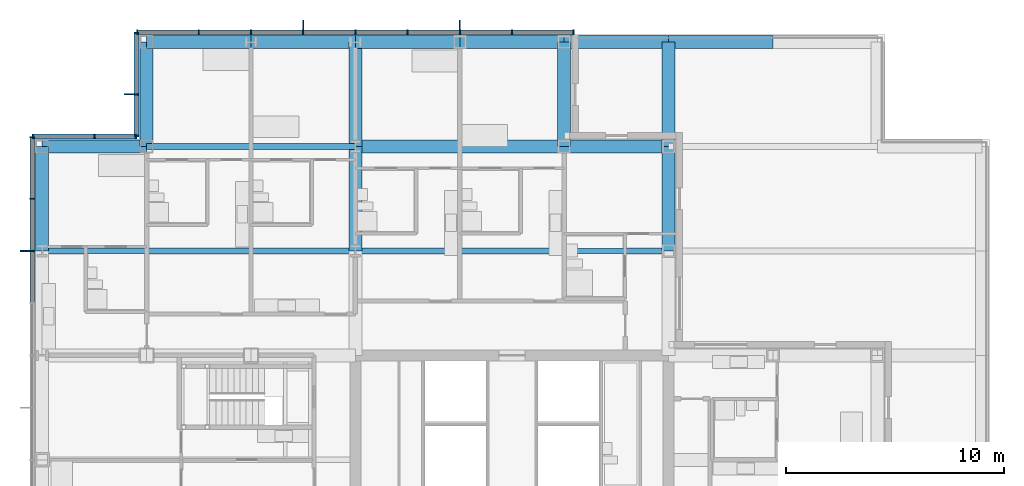
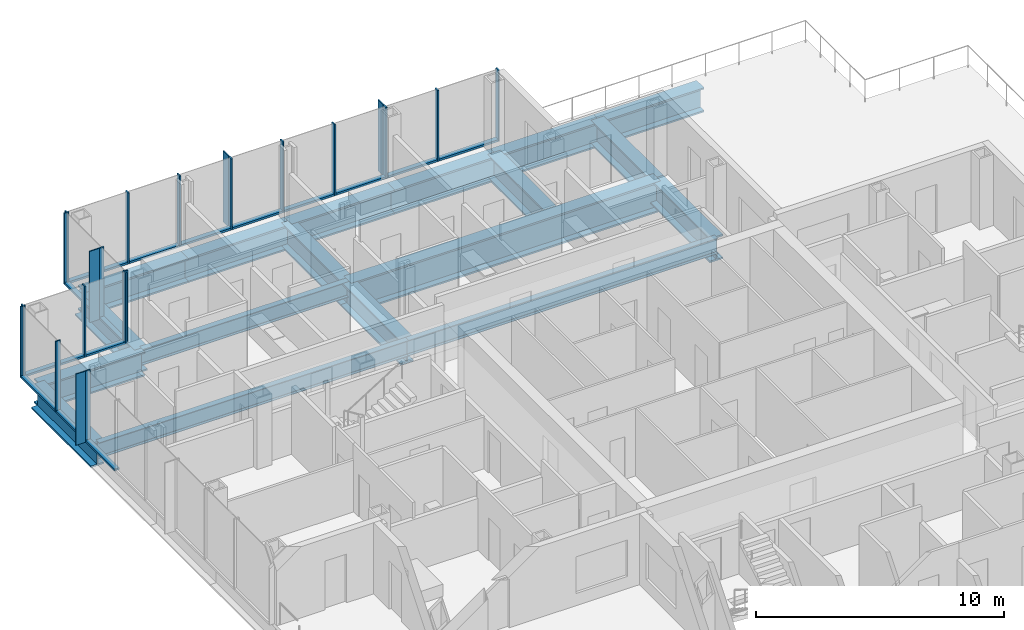
# One storey, part 9 of 19: 37 members, 18 beams, 4 elements without a shape of their own.
"""IFC4 building model written with IfcOpenShell, lengths in metres."""

from ifc_helpers import new_model, si_unit, direction, frame, origin, origin_2d, place, context, subcontext, project, spatial, rectangle, i_section, extrude, material, material_profile, profile_set, type_object, element, aggregate, save


model = new_model("IFC4")

# Units and contexts
model_context = context("Model", 3, precision=1e-05, world=origin(), true_north=direction((0.0, 1.0)))
body_context = subcontext(model_context, "Body", "Model", "MODEL_VIEW")
ifc_project = project(units=[si_unit("LENGTHUNIT", "METRE"), si_unit("AREAUNIT", "SQUARE_METRE"), si_unit("VOLUMEUNIT", "CUBIC_METRE"), si_unit("PLANEANGLEUNIT", "RADIAN"), si_unit("MASSUNIT", "GRAM", prefix="KILO")], contexts=[model_context])

# Site, building, storey
site_placement = place(None, origin())
site = spatial("IfcSite", under=ifc_project, at=site_placement, CompositionType="ELEMENT")
building_placement = place(site_placement, origin())
building = spatial("IfcBuilding", under=site, at=building_placement, Name="Kvirike Care Tower", CompositionType="ELEMENT")
storey_placement = place(building_placement, frame((0.0, 0.0, 84.0)))
storey = spatial("IfcBuildingStorey", under=building, at=storey_placement, Name="L22", CompositionType="ELEMENT", Elevation=84.0)

# Curtain wall, members
ifc_material_1 = material(Name="Anodised aluminium stick system", Category="aluminium")
curtain_wall_type = type_object("IfcCurtainWallType", Name="CW-B STICK CURTAIN WALL", PredefinedType="NOTDEFINED", material=ifc_material_1)
curtain_wall_1_placement = place(storey_placement, origin())
curtain_wall_1 = element("IfcCurtainWall", 1, at=curtain_wall_1_placement, inside=storey, type_object=curtain_wall_type, Name="Curtain wall L22 face 8", PredefinedType="NOTDEFINED")
ifc_material_2 = material(Name="Bronze anodised aluminium fin", Category="aluminium")
ifc_material_profile_1 = material_profile(ifc_material_2, rectangle(XDim=0.050048828125, YDim=0.449951171875, at=origin_2d()), Name="BRONZE FIN 450")
ifc_profile_set_1 = profile_set([ifc_material_profile_1], Name="Bronze anodised aluminium fin")
member_type_1 = type_object("IfcMemberType", Name="BRONZE FIN 450", PredefinedType="USERDEFINED", material=ifc_profile_set_1)
member_1_placement = place(storey_placement, frame((19.199951171875, 58.39501953125, 0.0), z_axis=(0.0, 0.0, 1.0), x_axis=(-1.0, 0.0, 0.0)))
member_1 = element("IfcMember", 2, at=member_1_placement, type_object=member_type_1, Name="Bronze fin L22 face 8.3", ObjectType="FIN", PredefinedType="USERDEFINED", context=body_context, shape_type="SweptSolid", body=[
    extrude(rectangle(XDim=0.050048828125, YDim=0.449951171875, at=origin_2d()), origin(), (0.0, 0.0, 1.0), 3.5),
])
member_2_placement = place(storey_placement, frame((12.0, 58.39501953125, 0.0), z_axis=(0.0, 0.0, 1.0), x_axis=(-1.0, 0.0, 0.0)))
member_2 = element("IfcMember", 3, at=member_2_placement, type_object=member_type_1, Name="Bronze fin L22 face 8.6", ObjectType="FIN", PredefinedType="USERDEFINED", context=body_context, shape_type="SweptSolid", body=[
    extrude(rectangle(XDim=0.050048828125, YDim=0.449951171875, at=origin_2d()), origin(), (0.0, 0.0, 1.0), 3.5),
])

# Curtain wall, member
curtain_wall_2_placement = place(storey_placement, origin())
curtain_wall_2 = element("IfcCurtainWall", 4, at=curtain_wall_2_placement, inside=storey, type_object=curtain_wall_type, Name="Curtain wall L22 face 9", PredefinedType="NOTDEFINED")
member_3_placement = place(storey_placement, frame((4.0048828125, 55.199951171875, 0.0), z_axis=(0.0, 0.0, 1.0), x_axis=(0.0, -1.0, 0.0)))
member_3 = element("IfcMember", 5, at=member_3_placement, type_object=member_type_1, Name="Bronze fin L22 face 9.2", ObjectType="FIN", PredefinedType="USERDEFINED", context=body_context, shape_type="SweptSolid", body=[
    extrude(rectangle(XDim=0.050048828125, YDim=0.449951171875, at=origin_2d()), origin(), (0.0, 0.0, 1.0), 3.5),
])

curtain_wall_3_placement = place(storey_placement, origin())
curtain_wall_3 = element("IfcCurtainWall", 6, at=curtain_wall_3_placement, inside=storey, type_object=curtain_wall_type, Name="Curtain wall L22 face 11", PredefinedType="NOTDEFINED")
member_4_placement = place(storey_placement, frame((-0.794921875, 48.0, 0.0), z_axis=(0.0, 0.0, 1.0), x_axis=(0.0, -1.0, 0.0)))
member_4 = element("IfcMember", 7, at=member_4_placement, type_object=member_type_1, Name="Bronze fin L22 face 11.3", ObjectType="FIN", PredefinedType="USERDEFINED", context=body_context, shape_type="SweptSolid", body=[
    extrude(rectangle(XDim=0.050048828125, YDim=0.449951171875, at=origin_2d()), origin(), (0.0, 0.0, 1.0), 3.5),
])

# Member
ifc_material_3 = material(Name="Bronze anodised aluminium mullion", Category="aluminium")
ifc_material_profile_2 = material_profile(ifc_material_3, rectangle(XDim=0.06494140625, YDim=0.219970703125, at=origin_2d()), Name="CW-B MULLION 65x220")
ifc_profile_set_2 = profile_set([ifc_material_profile_2], Name="Bronze anodised aluminium mullion")
member_type_2 = type_object("IfcMemberType", Name="CW-B MULLION 65x220", PredefinedType="MULLION", material=ifc_profile_set_2)
member_5_placement = place(storey_placement, frame((24.427490234375, 58.06005859375, 0.0), z_axis=(0.0, 0.0, 1.0), x_axis=(-1.0, 0.0, 0.0)))
member_5 = element("IfcMember", 8, at=member_5_placement, type_object=member_type_2, Name="CW-B mullion L22 face 8.1", PredefinedType="MULLION", context=body_context, shape_type="SweptSolid", body=[
    extrude(rectangle(XDim=0.06494140625, YDim=0.219970703125, at=origin_2d()), origin(), (0.0, 0.0, 1.0), 3.5),
])

member_6_placement = place(storey_placement, frame((21.60009765625, 58.06005859375, 0.0), z_axis=(0.0, 0.0, 1.0), x_axis=(-1.0, 0.0, 0.0)))
member_6 = element("IfcMember", 9, at=member_6_placement, type_object=member_type_2, Name="CW-B mullion L22 face 8.2", PredefinedType="MULLION", context=body_context, shape_type="SweptSolid", body=[
    extrude(rectangle(XDim=0.06494140625, YDim=0.219970703125, at=origin_2d()), origin(), (0.0, 0.0, 1.0), 3.5),
])

member_7_placement = place(storey_placement, frame((19.199951171875, 58.06005859375, 0.0), z_axis=(0.0, 0.0, 1.0), x_axis=(-1.0, 0.0, 0.0)))
member_7 = element("IfcMember", 10, at=member_7_placement, type_object=member_type_2, Name="CW-B mullion L22 face 8.3", PredefinedType="MULLION", context=body_context, shape_type="SweptSolid", body=[
    extrude(rectangle(XDim=0.06494140625, YDim=0.219970703125, at=origin_2d()), origin(), (0.0, 0.0, 1.0), 3.5),
])

member_8_placement = place(storey_placement, frame((16.800048828125, 58.06005859375, 0.0), z_axis=(0.0, 0.0, 1.0), x_axis=(-1.0, 0.0, 0.0)))
member_8 = element("IfcMember", 11, at=member_8_placement, type_object=member_type_2, Name="CW-B mullion L22 face 8.4", PredefinedType="MULLION", context=body_context, shape_type="SweptSolid", body=[
    extrude(rectangle(XDim=0.06494140625, YDim=0.219970703125, at=origin_2d()), origin(), (0.0, 0.0, 1.0), 3.5),
])

member_9_placement = place(storey_placement, frame((14.39990234375, 58.06005859375, 0.0), z_axis=(0.0, 0.0, 1.0), x_axis=(-1.0, 0.0, 0.0)))
member_9 = element("IfcMember", 12, at=member_9_placement, type_object=member_type_2, Name="CW-B mullion L22 face 8.5", PredefinedType="MULLION", context=body_context, shape_type="SweptSolid", body=[
    extrude(rectangle(XDim=0.06494140625, YDim=0.219970703125, at=origin_2d()), origin(), (0.0, 0.0, 1.0), 3.5),
])

member_10_placement = place(storey_placement, frame((12.0, 58.06005859375, 0.0), z_axis=(0.0, 0.0, 1.0), x_axis=(-1.0, 0.0, 0.0)))
member_10 = element("IfcMember", 13, at=member_10_placement, type_object=member_type_2, Name="CW-B mullion L22 face 8.6", PredefinedType="MULLION", context=body_context, shape_type="SweptSolid", body=[
    extrude(rectangle(XDim=0.06494140625, YDim=0.219970703125, at=origin_2d()), origin(), (0.0, 0.0, 1.0), 3.5),
])

member_11_placement = place(storey_placement, frame((9.60009765625, 58.06005859375, 0.0), z_axis=(0.0, 0.0, 1.0), x_axis=(-1.0, 0.0, 0.0)))
member_11 = element("IfcMember", 14, at=member_11_placement, type_object=member_type_2, Name="CW-B mullion L22 face 8.7", PredefinedType="MULLION", context=body_context, shape_type="SweptSolid", body=[
    extrude(rectangle(XDim=0.06494140625, YDim=0.219970703125, at=origin_2d()), origin(), (0.0, 0.0, 1.0), 3.5),
])

member_12_placement = place(storey_placement, frame((7.199951171875, 58.06005859375, 0.0), z_axis=(0.0, 0.0, 1.0), x_axis=(-1.0, 0.0, 0.0)))
member_12 = element("IfcMember", 15, at=member_12_placement, type_object=member_type_2, Name="CW-B mullion L22 face 8.8", PredefinedType="MULLION", context=body_context, shape_type="SweptSolid", body=[
    extrude(rectangle(XDim=0.06494140625, YDim=0.219970703125, at=origin_2d()), origin(), (0.0, 0.0, 1.0), 3.5),
])

member_13_placement = place(storey_placement, frame((4.37255859375, 58.06005859375, 0.0), z_axis=(0.0, 0.0, 1.0), x_axis=(-1.0, 0.0, 0.0)))
member_13 = element("IfcMember", 16, at=member_13_placement, type_object=member_type_2, Name="CW-B mullion L22 face 8.9", PredefinedType="MULLION", context=body_context, shape_type="SweptSolid", body=[
    extrude(rectangle(XDim=0.06494140625, YDim=0.219970703125, at=origin_2d()), origin(), (0.0, 0.0, 1.0), 3.5),
])

member_14_placement = place(storey_placement, frame((4.340087890625, 58.027587890625, 0.0), z_axis=(0.0, 0.0, 1.0), x_axis=(0.0, -1.0, 0.0)))
member_14 = element("IfcMember", 17, at=member_14_placement, type_object=member_type_2, Name="CW-B mullion L22 face 9.1", PredefinedType="MULLION", context=body_context, shape_type="SweptSolid", body=[
    extrude(rectangle(XDim=0.06494140625, YDim=0.219970703125, at=origin_2d()), origin(), (0.0, 0.0, 1.0), 3.5),
])

member_15_placement = place(storey_placement, frame((4.340087890625, 55.199951171875, 0.0), z_axis=(0.0, 0.0, 1.0), x_axis=(0.0, -1.0, 0.0)))
member_15 = element("IfcMember", 18, at=member_15_placement, type_object=member_type_2, Name="CW-B mullion L22 face 9.2", PredefinedType="MULLION", context=body_context, shape_type="SweptSolid", body=[
    extrude(rectangle(XDim=0.06494140625, YDim=0.219970703125, at=origin_2d()), origin(), (0.0, 0.0, 1.0), 3.5),
])

member_16_placement = place(storey_placement, frame((4.340087890625, 53.29248046875, 0.0), z_axis=(0.0, 0.0, 1.0), x_axis=(0.0, -1.0, 0.0)))
member_16 = element("IfcMember", 19, at=member_16_placement, type_object=member_type_2, Name="CW-B mullion L22 face 9.3", PredefinedType="MULLION", context=body_context, shape_type="SweptSolid", body=[
    extrude(rectangle(XDim=0.06494140625, YDim=0.219970703125, at=origin_2d()), origin(), (0.0, 0.0, 1.0), 3.5),
])

# Curtain wall, members
curtain_wall_4_placement = place(storey_placement, origin())
curtain_wall_4 = element("IfcCurtainWall", 20, at=curtain_wall_4_placement, inside=storey, type_object=curtain_wall_type, Name="Curtain wall L22 face 10", PredefinedType="NOTDEFINED")
member_17_placement = place(storey_placement, frame((4.3076171875, 53.260009765625, 0.0), z_axis=(0.0, 0.0, 1.0), x_axis=(-1.0, 0.0, 0.0)))
member_17 = element("IfcMember", 21, at=member_17_placement, type_object=member_type_2, Name="CW-B mullion L22 face 10.1", PredefinedType="MULLION", context=body_context, shape_type="SweptSolid", body=[
    extrude(rectangle(XDim=0.06494140625, YDim=0.219970703125, at=origin_2d()), origin(), (0.0, 0.0, 1.0), 3.5),
])
member_18_placement = place(storey_placement, frame((2.39990234375, 53.260009765625, 0.0), z_axis=(0.0, 0.0, 1.0), x_axis=(-1.0, 0.0, 0.0)))
member_18 = element("IfcMember", 22, at=member_18_placement, type_object=member_type_2, Name="CW-B mullion L22 face 10.2", PredefinedType="MULLION", context=body_context, shape_type="SweptSolid", body=[
    extrude(rectangle(XDim=0.06494140625, YDim=0.219970703125, at=origin_2d()), origin(), (0.0, 0.0, 1.0), 3.5),
])
member_19_placement = place(storey_placement, frame((-0.427490234375, 53.260009765625, 0.0), z_axis=(0.0, 0.0, 1.0), x_axis=(-1.0, 0.0, 0.0)))
member_19 = element("IfcMember", 23, at=member_19_placement, type_object=member_type_2, Name="CW-B mullion L22 face 10.3", PredefinedType="MULLION", context=body_context, shape_type="SweptSolid", body=[
    extrude(rectangle(XDim=0.06494140625, YDim=0.219970703125, at=origin_2d()), origin(), (0.0, 0.0, 1.0), 3.5),
])

# Member
member_20_placement = place(storey_placement, frame((-0.4599609375, 53.2275390625, 0.0), z_axis=(0.0, 0.0, 1.0), x_axis=(0.0, -1.0, 0.0)))
member_20 = element("IfcMember", 24, at=member_20_placement, type_object=member_type_2, Name="CW-B mullion L22 face 11.1", PredefinedType="MULLION", context=body_context, shape_type="SweptSolid", body=[
    extrude(rectangle(XDim=0.06494140625, YDim=0.219970703125, at=origin_2d()), origin(), (0.0, 0.0, 1.0), 3.5),
])

member_21_placement = place(storey_placement, frame((-0.4599609375, 50.39990234375, 0.0), z_axis=(0.0, 0.0, 1.0), x_axis=(0.0, -1.0, 0.0)))
member_21 = element("IfcMember", 25, at=member_21_placement, type_object=member_type_2, Name="CW-B mullion L22 face 11.2", PredefinedType="MULLION", context=body_context, shape_type="SweptSolid", body=[
    extrude(rectangle(XDim=0.06494140625, YDim=0.219970703125, at=origin_2d()), origin(), (0.0, 0.0, 1.0), 3.5),
])

member_22_placement = place(storey_placement, frame((-0.4599609375, 48.0, 0.0), z_axis=(0.0, 0.0, 1.0), x_axis=(0.0, -1.0, 0.0)))
member_22 = element("IfcMember", 26, at=member_22_placement, type_object=member_type_2, Name="CW-B mullion L22 face 11.3", PredefinedType="MULLION", context=body_context, shape_type="SweptSolid", body=[
    extrude(rectangle(XDim=0.06494140625, YDim=0.219970703125, at=origin_2d()), origin(), (0.0, 0.0, 1.0), 3.5),
])

ifc_material_4 = material(Name="Bronze anodised aluminium transom", Category="aluminium")
ifc_material_profile_3 = material_profile(ifc_material_4, rectangle(XDim=0.219970703125, YDim=0.10009765625, at=origin_2d()), Name="CW-B TRANSOM 220x100")
ifc_profile_set_3 = profile_set([ifc_material_profile_3], Name="Bronze anodised aluminium transom")
member_type_3 = type_object("IfcMemberType", Name="CW-B TRANSOM 220x100", PredefinedType="USERDEFINED", material=ifc_profile_set_3)
member_23_placement = place(storey_placement, frame((24.39501953125, 58.06005859375, 0.050048828125), z_axis=(-1.0, 0.0, 0.0), x_axis=(0.0, -1.0, 0.0)))
member_23 = element("IfcMember", 27, at=member_23_placement, type_object=member_type_3, Name="CW-B sill transom L22 face 8.1", ObjectType="TRANSOM", PredefinedType="USERDEFINED", context=body_context, shape_type="SweptSolid", body=[
    extrude(rectangle(XDim=0.219970703125, YDim=0.10009765625, at=origin_2d()), origin(), (0.0, 0.0, 1.0), 2.762451171875),
])

member_24_placement = place(storey_placement, frame((21.5673828125, 58.06005859375, 0.050048828125), z_axis=(-1.0, 0.0, 0.0), x_axis=(0.0, -1.0, 0.0)))
member_24 = element("IfcMember", 28, at=member_24_placement, type_object=member_type_3, Name="CW-B sill transom L22 face 8.2", ObjectType="TRANSOM", PredefinedType="USERDEFINED", context=body_context, shape_type="SweptSolid", body=[
    extrude(rectangle(XDim=0.219970703125, YDim=0.10009765625, at=origin_2d()), origin(), (0.0, 0.0, 1.0), 2.3349609375),
])

member_25_placement = place(storey_placement, frame((19.16748046875, 58.06005859375, 0.050048828125), z_axis=(-1.0, 0.0, 0.0), x_axis=(0.0, -1.0, 0.0)))
member_25 = element("IfcMember", 29, at=member_25_placement, type_object=member_type_3, Name="CW-B sill transom L22 face 8.3", ObjectType="TRANSOM", PredefinedType="USERDEFINED", context=body_context, shape_type="SweptSolid", body=[
    extrude(rectangle(XDim=0.219970703125, YDim=0.10009765625, at=origin_2d()), origin(), (0.0, 0.0, 1.0), 2.3349609375),
])

member_26_placement = place(storey_placement, frame((16.767578125, 58.06005859375, 0.050048828125), z_axis=(-1.0, 0.0, 0.0), x_axis=(0.0, -1.0, 0.0)))
member_26 = element("IfcMember", 30, at=member_26_placement, type_object=member_type_3, Name="CW-B sill transom L22 face 8.4", ObjectType="TRANSOM", PredefinedType="USERDEFINED", context=body_context, shape_type="SweptSolid", body=[
    extrude(rectangle(XDim=0.219970703125, YDim=0.10009765625, at=origin_2d()), origin(), (0.0, 0.0, 1.0), 2.3349609375),
])

member_27_placement = place(storey_placement, frame((14.367431640625, 58.06005859375, 0.050048828125), z_axis=(-1.0, 0.0, 0.0), x_axis=(0.0, -1.0, 0.0)))
member_27 = element("IfcMember", 31, at=member_27_placement, type_object=member_type_3, Name="CW-B sill transom L22 face 8.5", ObjectType="TRANSOM", PredefinedType="USERDEFINED", context=body_context, shape_type="SweptSolid", body=[
    extrude(rectangle(XDim=0.219970703125, YDim=0.10009765625, at=origin_2d()), origin(), (0.0, 0.0, 1.0), 2.3349609375),
])

member_28_placement = place(storey_placement, frame((11.967529296875, 58.06005859375, 0.050048828125), z_axis=(-1.0, 0.0, 0.0), x_axis=(0.0, -1.0, 0.0)))
member_28 = element("IfcMember", 32, at=member_28_placement, type_object=member_type_3, Name="CW-B sill transom L22 face 8.6", ObjectType="TRANSOM", PredefinedType="USERDEFINED", context=body_context, shape_type="SweptSolid", body=[
    extrude(rectangle(XDim=0.219970703125, YDim=0.10009765625, at=origin_2d()), origin(), (0.0, 0.0, 1.0), 2.3349609375),
])

member_29_placement = place(storey_placement, frame((9.5673828125, 58.06005859375, 0.050048828125), z_axis=(-1.0, 0.0, 0.0), x_axis=(0.0, -1.0, 0.0)))
member_29 = element("IfcMember", 33, at=member_29_placement, type_object=member_type_3, Name="CW-B sill transom L22 face 8.7", ObjectType="TRANSOM", PredefinedType="USERDEFINED", context=body_context, shape_type="SweptSolid", body=[
    extrude(rectangle(XDim=0.219970703125, YDim=0.10009765625, at=origin_2d()), origin(), (0.0, 0.0, 1.0), 2.3349609375),
])

member_30_placement = place(storey_placement, frame((7.16748046875, 58.06005859375, 0.050048828125), z_axis=(-1.0, 0.0, 0.0), x_axis=(0.0, -1.0, 0.0)))
member_30 = element("IfcMember", 34, at=member_30_placement, type_object=member_type_3, Name="CW-B sill transom L22 face 8.8", ObjectType="TRANSOM", PredefinedType="USERDEFINED", context=body_context, shape_type="SweptSolid", body=[
    extrude(rectangle(XDim=0.219970703125, YDim=0.10009765625, at=origin_2d()), origin(), (0.0, 0.0, 1.0), 2.762451171875),
])

aggregate(curtain_wall_1, [member_5, member_6, member_7, member_1, member_8, member_9, member_10, member_2, member_11, member_12, member_13, member_23, member_24, member_25, member_26, member_27, member_28, member_29, member_30])

member_31_placement = place(storey_placement, frame((4.340087890625, 57.9951171875, 0.050048828125), z_axis=(0.0, -1.0, 0.0), x_axis=(1.0, 0.0, 0.0)))
member_31 = element("IfcMember", 35, at=member_31_placement, type_object=member_type_3, Name="CW-B sill transom L22 face 9.1", ObjectType="TRANSOM", PredefinedType="USERDEFINED", context=body_context, shape_type="SweptSolid", body=[
    extrude(rectangle(XDim=0.219970703125, YDim=0.10009765625, at=origin_2d()), origin(), (0.0, 0.0, 1.0), 2.7626953125),
])

member_32_placement = place(storey_placement, frame((4.340087890625, 55.16748046875, 0.050048828125), z_axis=(0.0, -1.0, 0.0), x_axis=(1.0, 0.0, 0.0)))
member_32 = element("IfcMember", 36, at=member_32_placement, type_object=member_type_3, Name="CW-B sill transom L22 face 9.2", ObjectType="TRANSOM", PredefinedType="USERDEFINED", context=body_context, shape_type="SweptSolid", body=[
    extrude(rectangle(XDim=0.219970703125, YDim=0.10009765625, at=origin_2d()), origin(), (0.0, 0.0, 1.0), 1.842529296875),
])

aggregate(curtain_wall_2, [member_14, member_15, member_3, member_16, member_31, member_32])

member_33_placement = place(storey_placement, frame((4.27490234375, 53.260009765625, 0.050048828125), z_axis=(-1.0, 0.0, 0.0), x_axis=(0.0, -1.0, 0.0)))
member_33 = element("IfcMember", 37, at=member_33_placement, type_object=member_type_3, Name="CW-B sill transom L22 face 10.1", ObjectType="TRANSOM", PredefinedType="USERDEFINED", context=body_context, shape_type="SweptSolid", body=[
    extrude(rectangle(XDim=0.219970703125, YDim=0.10009765625, at=origin_2d()), origin(), (0.0, 0.0, 1.0), 1.84228515625),
])

member_34_placement = place(storey_placement, frame((2.367431640625, 53.260009765625, 0.050048828125), z_axis=(-1.0, 0.0, 0.0), x_axis=(0.0, -1.0, 0.0)))
member_34 = element("IfcMember", 38, at=member_34_placement, type_object=member_type_3, Name="CW-B sill transom L22 face 10.2", ObjectType="TRANSOM", PredefinedType="USERDEFINED", context=body_context, shape_type="SweptSolid", body=[
    extrude(rectangle(XDim=0.219970703125, YDim=0.10009765625, at=origin_2d()), origin(), (0.0, 0.0, 1.0), 2.762451171875),
])

aggregate(curtain_wall_4, [member_17, member_18, member_19, member_33, member_34])

member_35_placement = place(storey_placement, frame((-0.4599609375, 53.195068359375, 0.050048828125), z_axis=(0.0, -1.0, 0.0), x_axis=(1.0, 0.0, 0.0)))
member_35 = element("IfcMember", 39, at=member_35_placement, type_object=member_type_3, Name="CW-B sill transom L22 face 11.1", ObjectType="TRANSOM", PredefinedType="USERDEFINED", context=body_context, shape_type="SweptSolid", body=[
    extrude(rectangle(XDim=0.219970703125, YDim=0.10009765625, at=origin_2d()), origin(), (0.0, 0.0, 1.0), 2.762451171875),
])

member_36_placement = place(storey_placement, frame((-0.4599609375, 50.367431640625, 0.050048828125), z_axis=(0.0, -1.0, 0.0), x_axis=(1.0, 0.0, 0.0)))
member_36 = element("IfcMember", 40, at=member_36_placement, type_object=member_type_3, Name="CW-B sill transom L22 face 11.2", ObjectType="TRANSOM", PredefinedType="USERDEFINED", context=body_context, shape_type="SweptSolid", body=[
    extrude(rectangle(XDim=0.219970703125, YDim=0.10009765625, at=origin_2d()), origin(), (0.0, 0.0, 1.0), 2.3349609375),
])

member_37_placement = place(storey_placement, frame((-0.4599609375, 47.967529296875, 0.050048828125), z_axis=(0.0, -1.0, 0.0), x_axis=(1.0, 0.0, 0.0)))
member_37 = element("IfcMember", 41, at=member_37_placement, type_object=member_type_3, Name="CW-B sill transom L22 face 11.3", ObjectType="TRANSOM", PredefinedType="USERDEFINED", context=body_context, shape_type="SweptSolid", body=[
    extrude(rectangle(XDim=0.219970703125, YDim=0.10009765625, at=origin_2d()), origin(), (0.0, 0.0, 1.0), 2.3349609375),
])

aggregate(curtain_wall_3, [member_20, member_21, member_22, member_4, member_35, member_36, member_37])

# Beams
ifc_material_5 = material(Name="Steel S355", Category="steel")
ifc_material_profile_4 = material_profile(ifc_material_5, i_section(OverallWidth=0.26806640625, OverallDepth=0.77001953125, WebThickness=0.015625, FlangeThickness=0.025390625, FilletRadius=0.01708984375, at=origin_2d()), Name="IPE 750x196")
ifc_profile_set_4 = profile_set([ifc_material_profile_4], Name="Steel S355")
beam_type_1 = type_object("IfcBeamType", Name="FLOOR BEAM IPE 750x196", PredefinedType="BEAM", material=ifc_profile_set_4)
beam_1_placement = place(storey_placement, frame((0.0, 48.0, -0.554931640625), z_axis=(1.0, 0.0, 0.0), x_axis=(0.0, 1.0, 0.0)))
element("IfcBeam", 42, at=beam_1_placement, inside=storey, type_object=beam_type_1, Name="Floor Beam L3-L6 L22", PredefinedType="BEAM", context=body_context, shape_type="SweptSolid", body=[
    extrude(i_section(OverallWidth=0.26806640625, OverallDepth=0.77001953125, WebThickness=0.015625, FlangeThickness=0.025390625, FilletRadius=0.01708984375, at=origin_2d()), origin(), (0.0, 0.0, 1.0), 14.39990234375),
])
beam_2_placement = place(storey_placement, frame((14.39990234375, 48.0, -0.554931640625), z_axis=(1.0, 0.0, 0.0), x_axis=(0.0, 1.0, 0.0)))
element("IfcBeam", 43, at=beam_2_placement, inside=storey, type_object=beam_type_1, Name="Floor Beam L6-L9 L22", PredefinedType="BEAM", context=body_context, shape_type="SweptSolid", body=[
    extrude(i_section(OverallWidth=0.26806640625, OverallDepth=0.77001953125, WebThickness=0.015625, FlangeThickness=0.025390625, FilletRadius=0.01708984375, at=origin_2d()), origin(), (0.0, 0.0, 1.0), 14.400146484375),
])
beam_3_placement = place(storey_placement, frame((4.800048828125, 52.800048828125, -0.554931640625), z_axis=(1.0, 0.0, 0.0), x_axis=(0.0, 1.0, 0.0)))
element("IfcBeam", 44, at=beam_3_placement, inside=storey, type_object=beam_type_1, Name="Floor Beam M4-M6 L22", PredefinedType="BEAM", context=body_context, shape_type="SweptSolid", body=[
    extrude(i_section(OverallWidth=0.26806640625, OverallDepth=0.77001953125, WebThickness=0.015625, FlangeThickness=0.025390625, FilletRadius=0.01708984375, at=origin_2d()), origin(), (0.0, 0.0, 1.0), 9.599853515625),
])
ifc_material_6 = material(Name="Steel S355", Category="steel")
ifc_material_profile_5 = material_profile(ifc_material_6, i_section(OverallWidth=0.60009765625, OverallDepth=1.199951171875, WebThickness=0.0400390625, FlangeThickness=0.080078125, at=origin_2d()), Name="PG 1200x600x40x80")
ifc_profile_set_5 = profile_set([ifc_material_profile_5], Name="Steel S355")
beam_type_2 = type_object("IfcBeamType", Name="FRAME BEAM PG 1200x600x40x80", PredefinedType="BEAM", material=ifc_profile_set_5)
for number, where, z_axis, x_axis, name in (
    (45, (14.39990234375, 48.0, -0.77001953125), (0.0, 1.0, 0.0), (-1.0, 0.0, 0.0), "Frame Beam L6-M6 L22"),
    (46, (14.39990234375, 52.800048828125, -0.77001953125), (0.0, 1.0, 0.0), (-1.0, 0.0, 0.0), "Frame Beam M6-N6 L22"),
    (47, (28.800048828125, 52.800048828125, -0.77001953125), (0.0, 1.0, 0.0), (-1.0, 0.0, 0.0), "Frame Beam M9-N9 L22"),
):
    element("IfcBeam", number, at=place(storey_placement, frame(where, z_axis=z_axis, x_axis=x_axis)), inside=storey, type_object=beam_type_2, Name=name, PredefinedType="BEAM", context=body_context, shape_type="SweptSolid", body=[
        extrude(i_section(OverallWidth=0.60009765625, OverallDepth=1.199951171875, WebThickness=0.0400390625, FlangeThickness=0.080078125, at=origin_2d()), origin(), (0.0, 0.0, 1.0), 4.800048828125),
    ])
ifc_material_7 = material(Name="Steel S355", Category="steel")
ifc_material_profile_6 = material_profile(ifc_material_7, i_section(OverallWidth=0.60009765625, OverallDepth=1.199951171875, WebThickness=0.0400390625, FlangeThickness=0.080078125, at=origin_2d()), Name="PG 1200x600x40x80")
ifc_profile_set_6 = profile_set([ifc_material_profile_6], Name="Steel S355")
beam_type_3 = type_object("IfcBeamType", Name="SPANDREL PG 1200x600x40x80", PredefinedType="SPANDREL", material=ifc_profile_set_6)
for number, where, z_axis, x_axis, name in (
    (48, (0.0, 52.800048828125, -0.77001953125), (1.0, 0.0, 0.0), (0.0, 1.0, 0.0), "Spandrel M3-M4 L22"),
    (49, (4.800048828125, 57.60009765625, -0.77001953125), (1.0, 0.0, 0.0), (0.0, 1.0, 0.0), "Spandrel N4-N5 L22"),
):
    element("IfcBeam", number, at=place(storey_placement, frame(where, z_axis=z_axis, x_axis=x_axis)), inside=storey, type_object=beam_type_3, Name=name, PredefinedType="SPANDREL", context=body_context, shape_type="SweptSolid", body=[
        extrude(i_section(OverallWidth=0.60009765625, OverallDepth=1.199951171875, WebThickness=0.0400390625, FlangeThickness=0.080078125, at=origin_2d()), origin(), (0.0, 0.0, 1.0), 4.800048828125),
    ])
beam_4_placement = place(storey_placement, frame((9.60009765625, 57.60009765625, -0.77001953125), z_axis=(1.0, 0.0, 0.0), x_axis=(0.0, 1.0, 0.0)))
element("IfcBeam", 50, at=beam_4_placement, inside=storey, type_object=beam_type_3, Name="Spandrel N5-N6 L22", PredefinedType="SPANDREL", context=body_context, shape_type="SweptSolid", body=[
    extrude(i_section(OverallWidth=0.60009765625, OverallDepth=1.199951171875, WebThickness=0.0400390625, FlangeThickness=0.080078125, at=origin_2d()), origin(), (0.0, 0.0, 1.0), 4.7998046875),
])
for number, where, z_axis, x_axis, name in (
    (51, (14.39990234375, 57.60009765625, -0.77001953125), (1.0, 0.0, 0.0), (0.0, 1.0, 0.0), "Spandrel N6-N7 L22"),
    (52, (19.199951171875, 57.60009765625, -0.77001953125), (1.0, 0.0, 0.0), (0.0, 1.0, 0.0), "Spandrel N7-N8 L22"),
    (53, (24.0, 57.60009765625, -0.77001953125), (1.0, 0.0, 0.0), (0.0, 1.0, 0.0), "Spandrel N8-N9 L22"),
    (54, (28.800048828125, 57.60009765625, -0.77001953125), (1.0, 0.0, 0.0), (0.0, 1.0, 0.0), "Spandrel N9-N10 L22"),
    (55, (0.0, 48.0, -0.77001953125), (0.0, 1.0, 0.0), (-1.0, 0.0, 0.0), "Spandrel L3-M3 L22"),
    (56, (4.800048828125, 52.800048828125, -0.77001953125), (0.0, 1.0, 0.0), (-1.0, 0.0, 0.0), "Spandrel M4-N4 L22"),
    (57, (24.0, 52.800048828125, -0.77001953125), (0.0, 1.0, 0.0), (-1.0, 0.0, 0.0), "Spandrel M8-N8 L22"),
    (58, (28.800048828125, 48.0, -0.77001953125), (0.0, 1.0, 0.0), (-1.0, 0.0, 0.0), "Spandrel L9-M9 L22"),
):
    element("IfcBeam", number, at=place(storey_placement, frame(where, z_axis=z_axis, x_axis=x_axis)), inside=storey, type_object=beam_type_3, Name=name, PredefinedType="SPANDREL", context=body_context, shape_type="SweptSolid", body=[
        extrude(i_section(OverallWidth=0.60009765625, OverallDepth=1.199951171875, WebThickness=0.0400390625, FlangeThickness=0.080078125, at=origin_2d()), origin(), (0.0, 0.0, 1.0), 4.800048828125),
    ])
ifc_material_8 = material(Name="Steel S355", Category="steel")
ifc_material_profile_7 = material_profile(ifc_material_8, i_section(OverallWidth=0.60009765625, OverallDepth=1.5, WebThickness=0.0400390625, FlangeThickness=0.080078125, at=origin_2d()), Name="PG 1500x600x40x80")
ifc_profile_set_7 = profile_set([ifc_material_profile_7], Name="Steel S355")
beam_type_4 = type_object("IfcBeamType", Name="TRANSFER GIRDER PG 1500x600x40x80", PredefinedType="BEAM", material=ifc_profile_set_7)
beam_5_placement = place(storey_placement, frame((14.39990234375, 52.800048828125, -0.919921875), z_axis=(1.0, 0.0, 0.0), x_axis=(0.0, 1.0, 0.0)))
element("IfcBeam", 59, at=beam_5_placement, inside=storey, type_object=beam_type_4, Name="Transfer Girder M6-M9 L22", PredefinedType="BEAM", context=body_context, shape_type="SweptSolid", body=[
    extrude(i_section(OverallWidth=0.60009765625, OverallDepth=1.5, WebThickness=0.0400390625, FlangeThickness=0.080078125, at=origin_2d()), origin(), (0.0, 0.0, 1.0), 14.400146484375),
])

save(model, "model.ifc")
